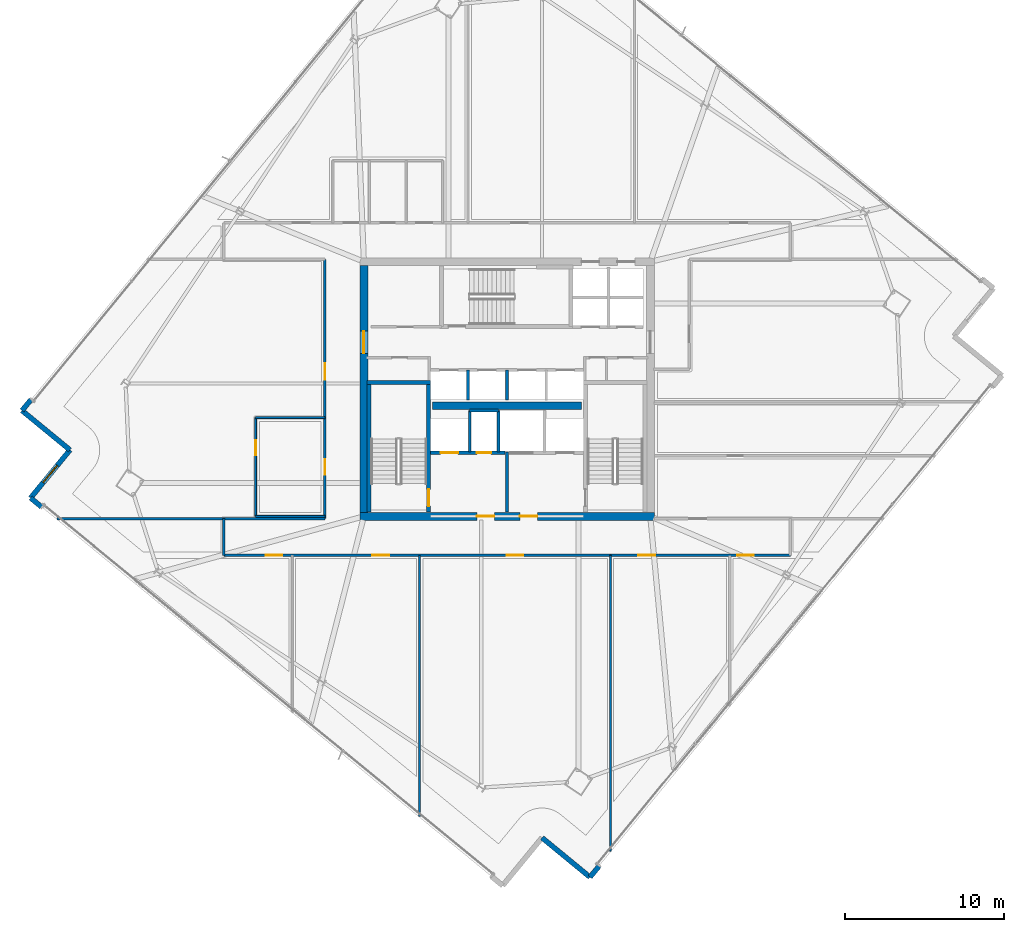
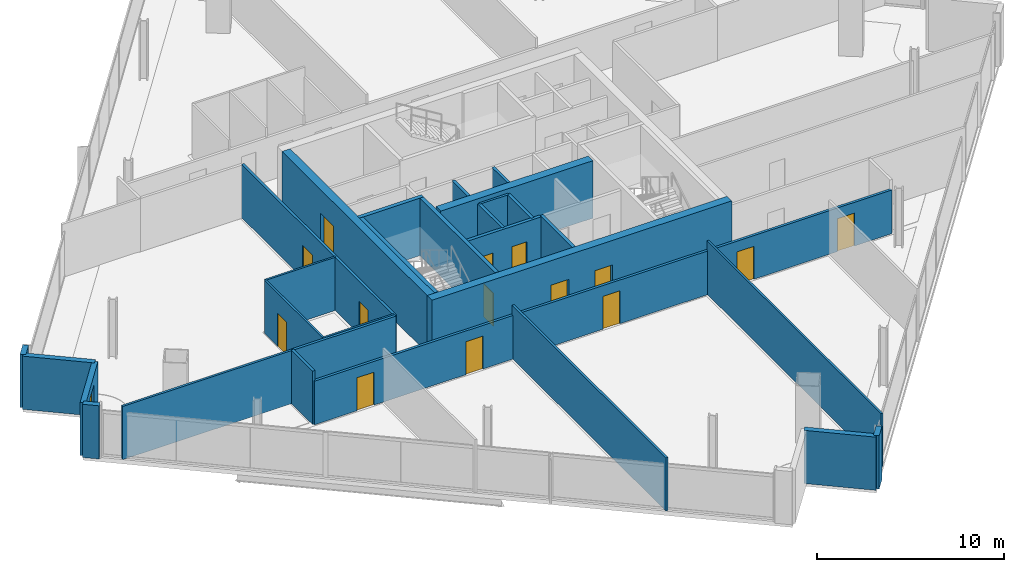
# One storey, part 20 of 28: 29 walls, 14 doors, 1 window, 15 openings.
"""IFC4 building model written with IfcOpenShell, lengths in metres."""

from ifc_helpers import new_model, si_unit, direction, frame, frame_2d, origin, place, context, subcontext, project, spatial, rectangle, extrude, material, layer, layer_set, type_object, element, fill, save


model = new_model("IFC4")

# Units and contexts
model_context = context("Model", 3, precision=1e-05, world=origin(), true_north=direction((0.0, 1.0)))
body_context = subcontext(model_context, "Body", "Model", "MODEL_VIEW")
ifc_project = project(units=[si_unit("LENGTHUNIT", "METRE"), si_unit("AREAUNIT", "SQUARE_METRE"), si_unit("VOLUMEUNIT", "CUBIC_METRE"), si_unit("PLANEANGLEUNIT", "RADIAN"), si_unit("MASSUNIT", "GRAM", prefix="KILO")], contexts=[model_context])

# Site, building, storey
site_placement = place(None, origin())
site = spatial("IfcSite", under=ifc_project, at=site_placement, CompositionType="ELEMENT")
building_placement = place(site_placement, origin())
building = spatial("IfcBuilding", under=site, at=building_placement, Name="Haldenkirk Collegiate Tower", CompositionType="ELEMENT")
storey_placement = place(building_placement, frame((0.0, 0.0, 198.449951171875)))
storey = spatial("IfcBuildingStorey", under=building, at=storey_placement, Name="L49", CompositionType="ELEMENT", Elevation=198.449951171875)

# Wall, openings, doors
ifc_material_1 = material(Name="Concrete f'c 55 MPa", Category="concrete")
ifc_layer_1 = layer(ifc_material_1, 0.5)
ifc_layer_set_1 = layer_set([ifc_layer_1], Name="Concrete f'c 55 MPa")
wall_type_1 = type_object("IfcWallType", Name="WL-CORE-500", PredefinedType="SHEAR", material=ifc_layer_set_1)
wall_1_placement = place(storey_placement, frame((26.75, 18.0, 0.0), z_axis=(0.0, 0.0, 1.0), x_axis=(1.0, 0.0, 0.0)))
wall_1 = element("IfcWall", 1, at=wall_1_placement, inside=storey, type_object=wall_type_1, Name="L49 central core shear wall S", PredefinedType="SHEAR", context=body_context, shape_type="SweptSolid", body=[
    extrude(rectangle(XDim=18.5, YDim=0.5, at=frame_2d((9.25, 0.0))), origin(), (0.0, 0.0, 1.0), 3.75),
])
opening_1_placement = place(wall_1_placement, frame((7.35009765625, 0.0, 0.0)))
opening_1 = element("IfcOpeningElement", 2, at=opening_1_placement, cuts=wall_1, Name="Opening D-02", PredefinedType="OPENING", context=body_context, shape_type="SweptSolid", body=[
    extrude(rectangle(XDim=1.10009765625, YDim=2.14990234375, at=frame_2d((0.550048828125, 1.074951171875))), frame((0.0, 0.260009765625, 0.0), z_axis=(0.0, -1.0, 0.0), x_axis=(1.0, 0.0, 0.0)), (0.0, 0.0, 1.0), 0.52001953125),
])
opening_2_placement = place(wall_1_placement, frame((10.050048828125, 0.0, 0.0)))
opening_2 = element("IfcOpeningElement", 3, at=opening_2_placement, cuts=wall_1, Name="Opening D-02", PredefinedType="OPENING", context=body_context, shape_type="SweptSolid", body=[
    extrude(rectangle(XDim=1.10009765625, YDim=2.14990234375, at=frame_2d((0.550048828125, 1.074951171875))), frame((0.0, 0.260009765625, 0.0), z_axis=(0.0, -1.0, 0.0), x_axis=(1.0, 0.0, 0.0)), (0.0, 0.0, 1.0), 0.52001953125),
])
ifc_material_2 = material(Name="Galvanized fire-rated hollow steel door", Category="steel")
ifc_layer_2 = layer(ifc_material_2, 0.06005859375)
ifc_layer_set_2 = layer_set([ifc_layer_2], Name="Galvanized fire-rated hollow steel door")
door_type_1 = type_object("IfcDoorType", Name="DR-STAIR-FD90-1100", OperationType="NOTDEFINED", PredefinedType="DOOR", material=ifc_layer_set_2)
door_1_placement = place(opening_1_placement, origin())
door_1 = element("IfcDoor", 4, at=door_1_placement, inside=storey, type_object=door_type_1, Name="L49 Firefighting Lobby 1 door", OperationType="SINGLE_SWING_LEFT", OverallHeight=2.14990234375, OverallWidth=1.10009765625, PredefinedType="DOOR", context=body_context, shape_type="SweptSolid", body=[
    extrude(rectangle(XDim=1.10009765625, YDim=2.14990234375, at=frame_2d((0.550048828125, 1.074951171875))), frame((0.0, 0.02490234375, 0.0), z_axis=(0.0, -1.0, 0.0), x_axis=(1.0, 0.0, 0.0)), (0.0, 0.0, 1.0), 0.050048828125),
])
fill(opening_1, door_1)
door_2_placement = place(opening_2_placement, origin())
door_2 = element("IfcDoor", 5, at=door_2_placement, inside=storey, type_object=door_type_1, Name="L49 Firefighting Lobby 2 door", OperationType="SINGLE_SWING_RIGHT", OverallHeight=2.14990234375, OverallWidth=1.10009765625, PredefinedType="DOOR", context=body_context, shape_type="SweptSolid", body=[
    extrude(rectangle(XDim=1.10009765625, YDim=2.14990234375, at=frame_2d((0.550048828125, 1.074951171875))), frame((0.0, 0.02490234375, 0.0), z_axis=(0.0, -1.0, 0.0), x_axis=(1.0, 0.0, 0.0)), (0.0, 0.0, 1.0), 0.050048828125),
])
fill(opening_2, door_2)

# Wall, opening, door
wall_2_placement = place(storey_placement, frame((27.0, 18.25, 0.0), z_axis=(0.0, 0.0, 1.0), x_axis=(0.0, 1.0, 0.0)))
wall_2 = element("IfcWall", 6, at=wall_2_placement, inside=storey, type_object=wall_type_1, Name="L49 central core shear wall W", PredefinedType="SHEAR", context=body_context, shape_type="SweptSolid", body=[
    extrude(rectangle(XDim=15.5, YDim=0.5, at=frame_2d((7.75, 0.0))), origin(), (0.0, 0.0, 1.0), 3.75),
])
opening_3_placement = place(wall_2_placement, frame((9.989990234375, 0.0, 0.0)))
opening_3 = element("IfcOpeningElement", 7, at=opening_3_placement, cuts=wall_2, Name="Opening D-03", PredefinedType="OPENING", context=body_context, shape_type="SweptSolid", body=[
    extrude(rectangle(XDim=1.39990234375, YDim=2.199951171875, at=frame_2d((0.699951171875, 1.10009765625))), frame((0.0, 0.260009765625, 0.0), z_axis=(0.0, -1.0, 0.0), x_axis=(1.0, 0.0, 0.0)), (0.0, 0.0, 1.0), 0.52001953125),
])
ifc_layer_3 = layer(ifc_material_2, 0.06005859375)
ifc_layer_set_3 = layer_set([ifc_layer_3], Name="Galvanized fire-rated hollow steel door")
door_type_2 = type_object("IfcDoorType", Name="DR-LOBBY-FD90-1400", OperationType="NOTDEFINED", PredefinedType="DOOR", material=ifc_layer_set_3)
door_3_placement = place(opening_3_placement, origin())
door_3 = element("IfcDoor", 8, at=door_3_placement, inside=storey, type_object=door_type_2, Name="L49 west lift lobby portal", OperationType="DOUBLE_DOOR_SINGLE_SWING", OverallHeight=2.199951171875, OverallWidth=1.39990234375, PredefinedType="DOOR", context=body_context, shape_type="SweptSolid", body=[
    extrude(rectangle(XDim=1.39990234375, YDim=2.199951171875, at=frame_2d((0.699951171875, 1.10009765625))), frame((0.0, 0.02490234375, 0.0), z_axis=(0.0, -1.0, 0.0), x_axis=(1.0, 0.0, 0.0)), (0.0, 0.0, 1.0), 0.050048828125),
])
fill(opening_3, door_3)

# Walls
wall_3_placement = place(storey_placement, frame((31.31005859375, 24.949951171875, 0.0), z_axis=(0.0, 0.0, 1.0), x_axis=(1.0, 0.0, 0.0)))
element("IfcWall", 9, at=wall_3_placement, inside=storey, type_object=wall_type_1, Name="L49 central core spine shear wall", PredefinedType="SHEAR", context=body_context, shape_type="SweptSolid", body=[
    extrude(rectangle(XDim=9.3798828125, YDim=0.5, at=frame_2d((4.68994140625, 0.0))), origin(), (0.0, 0.0, 1.0), 3.75),
])
ifc_material_3 = material(Name="Precast concrete f'c 40 MPa", Category="concrete")
ifc_layer_4 = layer(ifc_material_3, 0.320068359375)
ifc_layer_set_4 = layer_set([ifc_layer_4], Name="Precast concrete f'c 40 MPa")
wall_type_2 = type_object("IfcWallType", Name="WL-EXT-TWR-320", PredefinedType="STANDARD", material=ifc_layer_set_4)
for number, where, z_axis, x_axis, name in (
    (10, (41.781982421875, -3.984375, 0.0), (0.0, 0.0, 1.0), (-0.63469893291, -0.772759512761, 0.0), "L49 precast corner pier SR"),
    (11, (5.510498046875, 24.64453125, 0.0), (0.0, 0.0, 1.0), (0.63469893291, 0.772759512761, 0.0), "L49 precast corner pier NL"),
):
    element("IfcWall", number, at=place(storey_placement, frame(where, z_axis=z_axis, x_axis=x_axis)), inside=storey, type_object=wall_type_2, Name=name, PredefinedType="STANDARD", context=body_context, shape_type="SweptSolid", body=[
        extrude(rectangle(XDim=0.900146484375, YDim=0.320068359375, at=frame_2d((0.4501953125, 0.0))), origin(), (0.0, 0.0, 1.0), 3.469970703125),
    ])
wall_4_placement = place(storey_placement, frame((8.524169921875, 22.169189453125, 0.0), z_axis=(0.0, 0.0, 1.0), x_axis=(-0.77274818591, 0.634712723343, 0.0)))
element("IfcWall", 12, at=wall_4_placement, inside=storey, type_object=wall_type_2, Name="L49 bronze precast notch wall 08", PredefinedType="STANDARD", context=body_context, shape_type="SweptSolid", body=[
    extrude(rectangle(XDim=3.89990234375, YDim=0.320068359375, at=frame_2d((1.949951171875, 0.0))), origin(), (0.0, 0.0, 1.0), 3.469970703125),
])

# Wall, opening, window
wall_5_placement = place(storey_placement, frame((6.048583984375, 19.155517578125, 0.0), z_axis=(0.0, 0.0, 1.0), x_axis=(0.63475010273, 0.772717482062, 0.0)))
wall_5 = element("IfcWall", 13, at=wall_5_placement, inside=storey, type_object=wall_type_2, Name="L49 bronze precast notch wall 09", PredefinedType="STANDARD", context=body_context, shape_type="SweptSolid", body=[
    extrude(rectangle(XDim=3.900146484375, YDim=0.320068359375, at=frame_2d((1.9501953125, 0.0))), origin(), (0.0, 0.0, 1.0), 3.469970703125),
])
opening_4_placement = place(wall_5_placement, frame((1.25, 0.0, 0.85009765625)))
opening_4 = element("IfcOpeningElement", 14, at=opening_4_placement, cuts=wall_5, Name="Opening W-06", PredefinedType="OPENING", context=body_context, shape_type="SweptSolid", body=[
    extrude(rectangle(XDim=1.39990234375, YDim=2.0, at=frame_2d((0.699951171875, 1.0))), frame((0.0, 0.169921875, 0.0), z_axis=(0.0, -1.0, 0.0), x_axis=(1.0, 0.0, 0.0)), (0.0, 0.0, 1.0), 0.340087890625),
])
ifc_material_4 = material(Name="Low-E argon triple insulating glass", Category="glass")
ifc_layer_5 = layer(ifc_material_4, 0.090087890625)
ifc_layer_set_5 = layer_set([ifc_layer_5], Name="Low-E argon triple insulating glass")
window_type = type_object("IfcWindowType", Name="WN-Z4-1400X2000", PartitioningType="SINGLE_PANEL", PredefinedType="WINDOW", material=ifc_layer_set_5)
window_placement = place(opening_4_placement, origin())
window = element("IfcWindow", 15, at=window_placement, inside=storey, type_object=window_type, Name="L49 precast-frame academic window 8", OverallHeight=2.0, OverallWidth=1.39990234375, PartitioningType="SINGLE_PANEL", PredefinedType="WINDOW", context=body_context, shape_type="SweptSolid", body=[
    extrude(rectangle(XDim=1.39990234375, YDim=2.0, at=frame_2d((0.699951171875, 1.0))), frame((0.0, 0.030029296875, 0.0), z_axis=(0.0, -1.0, 0.0), x_axis=(1.0, 0.0, 0.0)), (0.0, 0.0, 1.0), 0.06005859375),
])
fill(opening_4, window)

# Walls
wall_6_placement = place(storey_placement, frame((6.744140625, 18.584228515625, 0.0), z_axis=(0.0, 0.0, 1.0), x_axis=(-0.772759512761, 0.63469893291, 0.0)))
element("IfcWall", 16, at=wall_6_placement, inside=storey, type_object=wall_type_2, Name="L49 precast corner pier WR", PredefinedType="STANDARD", context=body_context, shape_type="SweptSolid", body=[
    extrude(rectangle(XDim=0.900146484375, YDim=0.320068359375, at=frame_2d((0.4501953125, 0.0))), origin(), (0.0, 0.0, 1.0), 3.469970703125),
])
wall_7_placement = place(storey_placement, frame((41.210693359375, -4.679931640625, 0.0), z_axis=(0.0, 0.0, 1.0), x_axis=(-0.77274818591, 0.634712723343, 0.0)))
element("IfcWall", 17, at=wall_7_placement, inside=storey, type_object=wall_type_2, Name="L49 bronze precast notch wall 12", PredefinedType="STANDARD", context=body_context, shape_type="SweptSolid", body=[
    extrude(rectangle(XDim=3.89990234375, YDim=0.320068359375, at=frame_2d((1.949951171875, 0.0))), origin(), (0.0, 0.0, 1.0), 3.469970703125),
])

# Wall, openings, doors
ifc_material_5 = material(Name="Acoustic fire-rated gypsum partition", Category="concrete")
ifc_layer_6 = layer(ifc_material_5, 0.159912109375)
ifc_layer_set_6 = layer_set([ifc_layer_6], Name="Acoustic fire-rated gypsum partition")
wall_type_3 = type_object("IfcWallType", Name="WL-INT-CORR-160", PredefinedType="PARTITIONING", material=ifc_layer_set_6)
wall_8_placement = place(storey_placement, frame((18.199951171875, 15.550048828125, 0.0), z_axis=(0.0, 0.0, 1.0), x_axis=(1.0, 0.0, 0.0)))
wall_8 = element("IfcWall", 18, at=wall_8_placement, inside=storey, type_object=wall_type_3, Name="L49 interior partition IW-L49-CS", PredefinedType="PARTITIONING", context=body_context, shape_type="SweptSolid", body=[
    extrude(rectangle(XDim=35.60009765625, YDim=0.159912109375, at=frame_2d((17.800048828125, 0.0))), origin(), (0.0, 0.0, 1.0), 2.84912109375),
])
opening_5_placement = place(wall_8_placement, frame((2.625, 0.0, 0.0)))
opening_5 = element("IfcOpeningElement", 19, at=opening_5_placement, cuts=wall_8, Name="Opening D-09", PredefinedType="OPENING", context=body_context, shape_type="SweptSolid", body=[
    extrude(rectangle(XDim=1.050048828125, YDim=2.14990234375, at=frame_2d((0.52490234375, 1.074951171875))), frame((0.0, 0.08984375, 0.0), z_axis=(0.0, -1.0, 0.0), x_axis=(1.0, 0.0, 0.0)), (0.0, 0.0, 1.0), 0.179931640625),
])
opening_6_placement = place(wall_8_placement, frame((9.3349609375, 0.0, 0.0)))
opening_6 = element("IfcOpeningElement", 20, at=opening_6_placement, cuts=wall_8, Name="Opening D-09", PredefinedType="OPENING", context=body_context, shape_type="SweptSolid", body=[
    extrude(rectangle(XDim=1.050048828125, YDim=2.14990234375, at=frame_2d((0.52490234375, 1.074951171875))), frame((0.0, 0.08984375, 0.0), z_axis=(0.0, -1.0, 0.0), x_axis=(1.0, 0.0, 0.0)), (0.0, 0.0, 1.0), 0.179931640625),
])
opening_7_placement = place(wall_8_placement, frame((17.77490234375, 0.0, 0.0)))
opening_7 = element("IfcOpeningElement", 21, at=opening_7_placement, cuts=wall_8, Name="Opening D-09", PredefinedType="OPENING", context=body_context, shape_type="SweptSolid", body=[
    extrude(rectangle(XDim=1.050048828125, YDim=2.14990234375, at=frame_2d((0.52490234375, 1.074951171875))), frame((0.0, 0.08984375, 0.0), z_axis=(0.0, -1.0, 0.0), x_axis=(1.0, 0.0, 0.0)), (0.0, 0.0, 1.0), 0.179931640625),
])
opening_8_placement = place(wall_8_placement, frame((26.054931640625, 0.0, 0.0)))
opening_8 = element("IfcOpeningElement", 22, at=opening_8_placement, cuts=wall_8, Name="Opening D-09", PredefinedType="OPENING", context=body_context, shape_type="SweptSolid", body=[
    extrude(rectangle(XDim=1.050048828125, YDim=2.14990234375, at=frame_2d((0.52490234375, 1.074951171875))), frame((0.0, 0.08984375, 0.0), z_axis=(0.0, -1.0, 0.0), x_axis=(1.0, 0.0, 0.0)), (0.0, 0.0, 1.0), 0.179931640625),
])
opening_9_placement = place(wall_8_placement, frame((32.264892578125, 0.0, 0.0)))
opening_9 = element("IfcOpeningElement", 23, at=opening_9_placement, cuts=wall_8, Name="Opening D-09", PredefinedType="OPENING", context=body_context, shape_type="SweptSolid", body=[
    extrude(rectangle(XDim=1.050048828125, YDim=2.14990234375, at=frame_2d((0.52490234375, 1.074951171875))), frame((0.0, 0.08984375, 0.0), z_axis=(0.0, -1.0, 0.0), x_axis=(1.0, 0.0, 0.0)), (0.0, 0.0, 1.0), 0.179931640625),
])
ifc_material_6 = material(Name="Solid-core architectural oak fire door", Category="wood")
ifc_layer_7 = layer(ifc_material_6, 0.06005859375)
ifc_layer_set_7 = layer_set([ifc_layer_7], Name="Solid-core architectural oak fire door")
door_type_3 = type_object("IfcDoorType", Name="DR-INT-FD60-1050", OperationType="NOTDEFINED", PredefinedType="DOOR", material=ifc_layer_set_7)
door_4_placement = place(opening_5_placement, origin())
door_4 = element("IfcDoor", 24, at=door_4_placement, inside=storey, type_object=door_type_3, Name="L49 Student Wellness Clinic 1 door", OperationType="SINGLE_SWING_LEFT", OverallHeight=2.14990234375, OverallWidth=1.050048828125, PredefinedType="DOOR", context=body_context, shape_type="SweptSolid", body=[
    extrude(rectangle(XDim=1.050048828125, YDim=2.14990234375, at=frame_2d((0.52490234375, 1.074951171875))), frame((0.0, 0.02490234375, 0.0), z_axis=(0.0, -1.0, 0.0), x_axis=(1.0, 0.0, 0.0)), (0.0, 0.0, 1.0), 0.050048828125),
])
fill(opening_5, door_4)
door_5_placement = place(opening_6_placement, origin())
door_5 = element("IfcDoor", 25, at=door_5_placement, inside=storey, type_object=door_type_3, Name="L49 Ergonomics Clinic 2 door", OperationType="SINGLE_SWING_RIGHT", OverallHeight=2.14990234375, OverallWidth=1.050048828125, PredefinedType="DOOR", context=body_context, shape_type="SweptSolid", body=[
    extrude(rectangle(XDim=1.050048828125, YDim=2.14990234375, at=frame_2d((0.52490234375, 1.074951171875))), frame((0.0, 0.02490234375, 0.0), z_axis=(0.0, -1.0, 0.0), x_axis=(1.0, 0.0, 0.0)), (0.0, 0.0, 1.0), 0.050048828125),
])
fill(opening_6, door_5)
door_6_placement = place(opening_7_placement, origin())
door_6 = element("IfcDoor", 26, at=door_6_placement, inside=storey, type_object=door_type_3, Name="L49 Collegiate Commons Lounge 3 door", OperationType="SINGLE_SWING_LEFT", OverallHeight=2.14990234375, OverallWidth=1.050048828125, PredefinedType="DOOR", context=body_context, shape_type="SweptSolid", body=[
    extrude(rectangle(XDim=1.050048828125, YDim=2.14990234375, at=frame_2d((0.52490234375, 1.074951171875))), frame((0.0, 0.02490234375, 0.0), z_axis=(0.0, -1.0, 0.0), x_axis=(1.0, 0.0, 0.0)), (0.0, 0.0, 1.0), 0.050048828125),
])
fill(opening_7, door_6)
door_7_placement = place(opening_8_placement, origin())
door_7 = element("IfcDoor", 27, at=door_7_placement, inside=storey, type_object=door_type_3, Name="L49 Graduate Study Lounge 4 door", OperationType="SINGLE_SWING_RIGHT", OverallHeight=2.14990234375, OverallWidth=1.050048828125, PredefinedType="DOOR", context=body_context, shape_type="SweptSolid", body=[
    extrude(rectangle(XDim=1.050048828125, YDim=2.14990234375, at=frame_2d((0.52490234375, 1.074951171875))), frame((0.0, 0.02490234375, 0.0), z_axis=(0.0, -1.0, 0.0), x_axis=(1.0, 0.0, 0.0)), (0.0, 0.0, 1.0), 0.050048828125),
])
fill(opening_8, door_7)
door_8_placement = place(opening_9_placement, origin())
door_8 = element("IfcDoor", 28, at=door_8_placement, inside=storey, type_object=door_type_3, Name="L49 Special Collections Archive 5 door", OperationType="SINGLE_SWING_LEFT", OverallHeight=2.14990234375, OverallWidth=1.050048828125, PredefinedType="DOOR", context=body_context, shape_type="SweptSolid", body=[
    extrude(rectangle(XDim=1.050048828125, YDim=2.14990234375, at=frame_2d((0.52490234375, 1.074951171875))), frame((0.0, 0.02490234375, 0.0), z_axis=(0.0, -1.0, 0.0), x_axis=(1.0, 0.0, 0.0)), (0.0, 0.0, 1.0), 0.050048828125),
])
fill(opening_9, door_8)

# Wall
wall_9_placement = place(storey_placement, frame((18.199951171875, 17.85009765625, 0.0), z_axis=(0.0, 0.0, 1.0), x_axis=(1.0, 0.0, 0.0)))
element("IfcWall", 29, at=wall_9_placement, inside=storey, type_object=wall_type_3, Name="L49 interior partition IW-L49-CSW", PredefinedType="PARTITIONING", context=body_context, shape_type="SweptSolid", body=[
    extrude(rectangle(XDim=6.35009765625, YDim=0.159912109375, at=frame_2d((3.175048828125, 0.0))), origin(), (0.0, 0.0, 1.0), 3.469970703125),
])

# Wall, openings, doors
wall_10_placement = place(storey_placement, frame((24.550048828125, 17.85009765625, 0.0), z_axis=(0.0, 0.0, 1.0), x_axis=(0.0, 1.0, 0.0)))
wall_10 = element("IfcWall", 30, at=wall_10_placement, inside=storey, type_object=wall_type_3, Name="L49 interior partition IW-L49-CW", PredefinedType="PARTITIONING", context=body_context, shape_type="SweptSolid", body=[
    extrude(rectangle(XDim=16.2998046875, YDim=0.159912109375, at=frame_2d((8.14990234375, 0.0))), origin(), (0.0, 0.0, 1.0), 3.469970703125),
])
opening_10_placement = place(wall_10_placement, frame((2.77490234375, 0.0, 0.0)))
opening_10 = element("IfcOpeningElement", 31, at=opening_10_placement, cuts=wall_10, Name="Opening D-10", PredefinedType="OPENING", context=body_context, shape_type="SweptSolid", body=[
    extrude(rectangle(XDim=0.949951171875, YDim=2.14990234375, at=frame_2d((0.47509765625, 1.074951171875))), frame((0.0, 0.08984375, 0.0), z_axis=(0.0, -1.0, 0.0), x_axis=(1.0, 0.0, 0.0)), (0.0, 0.0, 1.0), 0.179931640625),
])
opening_11_placement = place(wall_10_placement, frame((8.72900390625, 0.0, 0.0)))
opening_11 = element("IfcOpeningElement", 32, at=opening_11_placement, cuts=wall_10, Name="Opening D-09", PredefinedType="OPENING", context=body_context, shape_type="SweptSolid", body=[
    extrude(rectangle(XDim=1.050048828125, YDim=2.14990234375, at=frame_2d((0.52490234375, 1.074951171875))), frame((0.0, 0.08984375, 0.0), z_axis=(0.0, -1.0, 0.0), x_axis=(1.0, 0.0, 0.0)), (0.0, 0.0, 1.0), 0.179931640625),
])
door_9_placement = place(opening_11_placement, origin())
door_9 = element("IfcDoor", 33, at=door_9_placement, inside=storey, type_object=door_type_3, Name="L49 Collegiate Commons Lounge 9 door", OperationType="SINGLE_SWING_LEFT", OverallHeight=2.14990234375, OverallWidth=1.050048828125, PredefinedType="DOOR", context=body_context, shape_type="SweptSolid", body=[
    extrude(rectangle(XDim=1.050048828125, YDim=2.14990234375, at=frame_2d((0.52490234375, 1.074951171875))), frame((0.0, 0.02490234375, 0.0), z_axis=(0.0, -1.0, 0.0), x_axis=(1.0, 0.0, 0.0)), (0.0, 0.0, 1.0), 0.050048828125),
])
fill(opening_11, door_9)
ifc_layer_8 = layer(ifc_material_6, 0.06005859375)
ifc_layer_set_8 = layer_set([ifc_layer_8], Name="Solid-core architectural oak fire door")
door_type_4 = type_object("IfcDoorType", Name="DR-INT-FD60-950", OperationType="NOTDEFINED", PredefinedType="DOOR", material=ifc_layer_set_8)
door_10_placement = place(opening_10_placement, origin())
door_10 = element("IfcDoor", 34, at=door_10_placement, inside=storey, type_object=door_type_4, Name="L49 West Faculty Tutorial Pod corridor door", OperationType="SINGLE_SWING_LEFT", OverallHeight=2.14990234375, OverallWidth=0.949951171875, PredefinedType="DOOR", context=body_context, shape_type="SweptSolid", body=[
    extrude(rectangle(XDim=0.949951171875, YDim=2.14990234375, at=frame_2d((0.47509765625, 1.074951171875))), frame((0.0, 0.02490234375, 0.0), z_axis=(0.0, -1.0, 0.0), x_axis=(1.0, 0.0, 0.0)), (0.0, 0.0, 1.0), 0.050048828125),
])
fill(opening_10, door_10)

# Walls
wall_11_placement = place(storey_placement, frame((18.199951171875, 15.550048828125, 0.0), z_axis=(0.0, 0.0, 1.0), x_axis=(0.0, 1.0, 0.0)))
element("IfcWall", 35, at=wall_11_placement, inside=storey, type_object=wall_type_3, Name="L49 interior partition IW-L49-CSL", PredefinedType="PARTITIONING", context=body_context, shape_type="SweptSolid", body=[
    extrude(rectangle(XDim=2.300048828125, YDim=0.159912109375, at=frame_2d((1.14990234375, 0.0))), origin(), (0.0, 0.0, 1.0), 3.469970703125),
])
ifc_layer_9 = layer(ifc_material_5, 0.139892578125)
ifc_layer_set_9 = layer_set([ifc_layer_9], Name="Acoustic fire-rated gypsum partition")
wall_type_4 = type_object("IfcWallType", Name="WL-INT-DIV-140", PredefinedType="PARTITIONING", material=ifc_layer_set_9)
wall_12_placement = place(storey_placement, frame((7.701171875, 17.85009765625, 0.0), z_axis=(0.0, 0.0, 1.0), x_axis=(1.0, 0.0, 0.0)))
element("IfcWall", 36, at=wall_12_placement, inside=storey, type_object=wall_type_4, Name="L49 interior partition IW-L49-BWS", PredefinedType="PARTITIONING", context=body_context, shape_type="SweptSolid", body=[
    extrude(rectangle(XDim=10.498779296875, YDim=0.139892578125, at=frame_2d((5.24951171875, 0.0))), origin(), (0.0, 0.0, 1.0), 3.469970703125),
])
wall_13_placement = place(storey_placement, frame((30.5, -0.877197265625, 0.0), z_axis=(0.0, 0.0, 1.0), x_axis=(0.0, 1.0, 0.0)))
element("IfcWall", 37, at=wall_13_placement, inside=storey, type_object=wall_type_4, Name="L49 interior partition IW-L49-RS2", PredefinedType="PARTITIONING", context=body_context, shape_type="SweptSolid", body=[
    extrude(rectangle(XDim=16.42724609375, YDim=0.139892578125, at=frame_2d((8.213623046875, 0.0))), origin(), (0.0, 0.0, 1.0), 3.469970703125),
])
ifc_material_7 = material(Name="Fire-rated gypsum shaftboard assembly", Category="concrete")
ifc_layer_10 = layer(ifc_material_7, 0.179931640625)
ifc_layer_set_10 = layer_set([ifc_layer_10], Name="Fire-rated gypsum shaftboard assembly")
wall_type_5 = type_object("IfcWallType", Name="WL-INT-SHAFT-180", PredefinedType="PARTITIONING", material=ifc_layer_set_10)
for number, where, z_axis, x_axis, name in (
    (38, (33.64990234375, 22.050048828125, 0.0), (0.0, 0.0, 1.0), (0.0, 1.0, 0.0), "L49 interior partition IW-L49-FL1E"),
    (39, (35.449951171875, 22.050048828125, 0.0), (0.0, 0.0, 1.0), (0.0, 1.0, 0.0), "L49 interior partition IW-L49-GL1W"),
):
    element("IfcWall", number, at=place(storey_placement, frame(where, z_axis=z_axis, x_axis=x_axis)), inside=storey, type_object=wall_type_5, Name=name, PredefinedType="PARTITIONING", context=body_context, shape_type="SweptSolid", body=[
        extrude(rectangle(XDim=2.599853515625, YDim=0.179931640625, at=frame_2d((1.2998046875, 0.0))), origin(), (0.0, 0.0, 1.0), 3.469970703125),
    ])
wall_14_placement = place(storey_placement, frame((33.64990234375, 24.64990234375, 0.0), z_axis=(0.0, 0.0, 1.0), x_axis=(1.0, 0.0, 0.0)))
element("IfcWall", 40, at=wall_14_placement, inside=storey, type_object=wall_type_5, Name="L49 interior partition IW-L49-RSRN", PredefinedType="PARTITIONING", context=body_context, shape_type="SweptSolid", body=[
    extrude(rectangle(XDim=1.800048828125, YDim=0.179931640625, at=frame_2d((0.89990234375, 0.0))), origin(), (0.0, 0.0, 1.0), 3.469970703125),
])
for number, where, z_axis, x_axis, name in (
    (41, (33.5400390625, 25.300048828125, 0.0), (0.0, 0.0, 1.0), (0.0, 1.0, 0.0), "L49 interior partition IW-L49-PHV1"),
    (42, (36.0, 25.300048828125, 0.0), (0.0, 0.0, 1.0), (0.0, 1.0, 0.0), "L49 interior partition IW-L49-PHV2"),
):
    element("IfcWall", number, at=place(storey_placement, frame(where, z_axis=z_axis, x_axis=x_axis)), inside=storey, type_object=wall_type_5, Name=name, PredefinedType="PARTITIONING", context=body_context, shape_type="SweptSolid", body=[
        extrude(rectangle(XDim=1.89990234375, YDim=0.179931640625, at=frame_2d((0.949951171875, 0.0))), origin(), (0.0, 0.0, 1.0), 3.469970703125),
    ])
ifc_layer_11 = layer(ifc_material_7, 0.199951171875)
ifc_layer_set_11 = layer_set([ifc_layer_11], Name="Fire-rated gypsum shaftboard assembly")
wall_type_6 = type_object("IfcWallType", Name="WL-INT-SHAFT-200", PredefinedType="PARTITIONING", material=ifc_layer_set_11)
wall_15_placement = place(storey_placement, frame((36.0, 18.280029296875, 0.0), z_axis=(0.0, 0.0, 1.0), x_axis=(0.0, 1.0, 0.0)))
element("IfcWall", 43, at=wall_15_placement, inside=storey, type_object=wall_type_6, Name="L49 interior partition IW-L49-FFLM", PredefinedType="PARTITIONING", context=body_context, shape_type="SweptSolid", body=[
    extrude(rectangle(XDim=3.77001953125, YDim=0.199951171875, at=frame_2d((1.885009765625, 0.0))), origin(), (0.0, 0.0, 1.0), 3.469970703125),
])

# Wall, openings, doors
wall_16_placement = place(storey_placement, frame((31.18994140625, 22.0, 0.0), z_axis=(0.0, 0.0, 1.0), x_axis=(1.0, 0.0, 0.0)))
wall_16 = element("IfcWall", 44, at=wall_16_placement, inside=storey, type_object=wall_type_6, Name="L49 interior partition IW-L49-FFL1N", PredefinedType="PARTITIONING", context=body_context, shape_type="SweptSolid", body=[
    extrude(rectangle(XDim=4.68994140625, YDim=0.199951171875, at=frame_2d((2.344970703125, 0.0))), origin(), (0.0, 0.0, 1.0), 3.469970703125),
])
opening_12_placement = place(wall_16_placement, frame((2.909912109375, 0.0, 0.0)))
opening_12 = element("IfcOpeningElement", 45, at=opening_12_placement, cuts=wall_16, Name="Opening D-06", PredefinedType="OPENING", context=body_context, shape_type="SweptSolid", body=[
    extrude(rectangle(XDim=0.89990234375, YDim=2.14990234375, at=frame_2d((0.449951171875, 1.074951171875))), frame((0.0, 0.10986328125, 0.0), z_axis=(0.0, -1.0, 0.0), x_axis=(1.0, 0.0, 0.0)), (0.0, 0.0, 1.0), 0.219970703125),
])
opening_13_placement = place(wall_16_placement, frame((0.635009765625, 0.0, 0.0)))
opening_13 = element("IfcOpeningElement", 46, at=opening_13_placement, cuts=wall_16, Name="Opening LD-12", PredefinedType="OPENING", context=body_context, shape_type="SweptSolid", body=[
    extrude(rectangle(XDim=1.10009765625, YDim=2.14990234375, at=frame_2d((0.550048828125, 1.074951171875))), frame((0.0, 0.10986328125, 0.0), z_axis=(0.0, -1.0, 0.0), x_axis=(1.0, 0.0, 0.0)), (0.0, 0.0, 1.0), 0.219970703125),
])
ifc_layer_12 = layer(ifc_material_2, 0.06005859375)
ifc_layer_set_12 = layer_set([ifc_layer_12], Name="Galvanized fire-rated hollow steel door")
door_type_5 = type_object("IfcDoorType", Name="DR-INT-FD90-900", OperationType="NOTDEFINED", PredefinedType="DOOR", material=ifc_layer_set_12)
door_11_placement = place(opening_12_placement, origin())
door_11 = element("IfcDoor", 47, at=door_11_placement, inside=storey, type_object=door_type_5, Name="L49 electrical riser door", OperationType="SINGLE_SWING_LEFT", OverallHeight=2.14990234375, OverallWidth=0.89990234375, PredefinedType="DOOR", context=body_context, shape_type="SweptSolid", body=[
    extrude(rectangle(XDim=0.89990234375, YDim=2.14990234375, at=frame_2d((0.449951171875, 1.074951171875))), frame((0.0, 0.02490234375, 0.0), z_axis=(0.0, -1.0, 0.0), x_axis=(1.0, 0.0, 0.0)), (0.0, 0.0, 1.0), 0.050048828125),
])
fill(opening_12, door_11)
ifc_material_8 = material(Name="Brushed architectural stainless steel", Category="steel")
ifc_layer_13 = layer(ifc_material_8, 0.06005859375)
ifc_layer_set_13 = layer_set([ifc_layer_13], Name="Brushed architectural stainless steel")
door_type_6 = type_object("IfcDoorType", Name="LD-FIRE-1100", OperationType="NOTDEFINED", PredefinedType="DOOR", material=ifc_layer_set_13)
door_12_placement = place(opening_13_placement, origin())
door_12 = element("IfcDoor", 48, at=door_12_placement, inside=storey, type_object=door_type_6, Name="L49 Elevator FL1 sliding landing door", OperationType="SLIDING_TO_LEFT", OverallHeight=2.14990234375, OverallWidth=1.10009765625, PredefinedType="DOOR", context=body_context, shape_type="SweptSolid", body=[
    extrude(rectangle(XDim=1.10009765625, YDim=2.14990234375, at=frame_2d((0.550048828125, 1.074951171875))), frame((0.0, 0.02490234375, 0.0), z_axis=(0.0, -1.0, 0.0), x_axis=(1.0, 0.0, 0.0)), (0.0, 0.0, 1.0), 0.050048828125),
])
fill(opening_13, door_12)

# Walls
ifc_layer_14 = layer(ifc_material_5, 0.1201171875)
ifc_layer_set_14 = layer_set([ifc_layer_14], Name="Acoustic fire-rated gypsum partition")
wall_type_7 = type_object("IfcWallType", Name="WL-INT-WET-120", PredefinedType="PARTITIONING", material=ifc_layer_set_14)
wall_17_placement = place(storey_placement, frame((42.5, -3.04736328125, 0.0), z_axis=(0.0, 0.0, 1.0), x_axis=(0.0, 1.0, 0.0)))
element("IfcWall", 49, at=wall_17_placement, inside=storey, type_object=wall_type_7, Name="L49 interior partition IW-L49-RS3", PredefinedType="PARTITIONING", context=body_context, shape_type="SweptSolid", body=[
    extrude(rectangle(XDim=18.597412109375, YDim=0.1201171875, at=frame_2d((9.298828125, 0.0))), origin(), (0.0, 0.0, 1.0), 3.469970703125),
])
wall_18_placement = place(storey_placement, frame((20.199951171875, 18.0, 0.0), z_axis=(0.0, 0.0, 1.0), x_axis=(1.0, 0.0, 0.0)))
element("IfcWall", 50, at=wall_18_placement, inside=storey, type_object=wall_type_7, Name="L49 interior partition IW-L49-SUBWS", PredefinedType="PARTITIONING", context=body_context, shape_type="SweptSolid", body=[
    extrude(rectangle(XDim=4.35009765625, YDim=0.1201171875, at=frame_2d((2.175048828125, 0.0))), origin(), (0.0, 0.0, 1.0), 3.469970703125),
])

# Wall, opening, door
wall_19_placement = place(storey_placement, frame((20.199951171875, 18.0, 0.0), z_axis=(0.0, 0.0, 1.0), x_axis=(0.0, 1.0, 0.0)))
wall_19 = element("IfcWall", 51, at=wall_19_placement, inside=storey, type_object=wall_type_7, Name="L49 interior partition IW-L49-SUBW", PredefinedType="PARTITIONING", context=body_context, shape_type="SweptSolid", body=[
    extrude(rectangle(XDim=6.199951171875, YDim=0.1201171875, at=frame_2d((3.10009765625, 0.0))), origin(), (0.0, 0.0, 1.0), 3.469970703125),
])
opening_14_placement = place(wall_19_placement, frame((3.824951171875, 0.0, 0.0)))
opening_14 = element("IfcOpeningElement", 52, at=opening_14_placement, cuts=wall_19, Name="Opening D-12", PredefinedType="OPENING", context=body_context, shape_type="SweptSolid", body=[
    extrude(rectangle(XDim=0.949951171875, YDim=2.14990234375, at=frame_2d((0.47509765625, 1.074951171875))), frame((0.0, 0.070068359375, 0.0), z_axis=(0.0, -1.0, 0.0), x_axis=(1.0, 0.0, 0.0)), (0.0, 0.0, 1.0), 0.14013671875),
])
ifc_layer_15 = layer(ifc_material_6, 0.06005859375)
ifc_layer_set_15 = layer_set([ifc_layer_15], Name="Solid-core architectural oak fire door")
door_type_7 = type_object("IfcDoorType", Name="DR-INT-STD-950", OperationType="NOTDEFINED", PredefinedType="DOOR", material=ifc_layer_set_15)
door_13_placement = place(opening_14_placement, origin())
door_13 = element("IfcDoor", 53, at=door_13_placement, inside=storey, type_object=door_type_7, Name="L49 West Faculty Tutorial Pod suite door", OperationType="SINGLE_SWING_RIGHT", OverallHeight=2.14990234375, OverallWidth=0.949951171875, PredefinedType="DOOR", context=body_context, shape_type="SweptSolid", body=[
    extrude(rectangle(XDim=0.949951171875, YDim=2.14990234375, at=frame_2d((0.47509765625, 1.074951171875))), frame((0.0, 0.02490234375, 0.0), z_axis=(0.0, -1.0, 0.0), x_axis=(1.0, 0.0, 0.0)), (0.0, 0.0, 1.0), 0.050048828125),
])
fill(opening_14, door_13)

# Wall
wall_20_placement = place(storey_placement, frame((20.199951171875, 24.199951171875, 0.0), z_axis=(0.0, 0.0, 1.0), x_axis=(1.0, 0.0, 0.0)))
element("IfcWall", 54, at=wall_20_placement, inside=storey, type_object=wall_type_7, Name="L49 interior partition IW-L49-SUBWN", PredefinedType="PARTITIONING", context=body_context, shape_type="SweptSolid", body=[
    extrude(rectangle(XDim=4.35009765625, YDim=0.1201171875, at=frame_2d((2.175048828125, 0.0))), origin(), (0.0, 0.0, 1.0), 3.469970703125),
])

# Wall, opening, door
ifc_layer_16 = layer(ifc_material_1, 0.239990234375)
ifc_layer_set_16 = layer_set([ifc_layer_16], Name="Concrete f'c 55 MPa")
wall_type_8 = type_object("IfcWallType", Name="WL-SHAFT-240", PredefinedType="SHEAR", material=ifc_layer_set_16)
wall_21_placement = place(storey_placement, frame((31.070068359375, 18.280029296875, 0.0), z_axis=(0.0, 0.0, 1.0), x_axis=(0.0, 1.0, 0.0)))
wall_21 = element("IfcWall", 55, at=wall_21_placement, inside=storey, type_object=wall_type_8, Name="L49 stair shaft shear wall SW-L49-ST1E", PredefinedType="SHEAR", context=body_context, shape_type="SweptSolid", body=[
    extrude(rectangle(XDim=8.260009765625, YDim=0.239990234375, at=frame_2d((4.1298828125, 0.0))), origin(), (0.0, 0.0, 1.0), 3.75),
])
opening_15_placement = place(wall_21_placement, frame((0.364990234375, 0.0, 0.0)))
opening_15 = element("IfcOpeningElement", 56, at=opening_15_placement, cuts=wall_21, Name="Opening D-01", PredefinedType="OPENING", context=body_context, shape_type="SweptSolid", body=[
    extrude(rectangle(XDim=1.050048828125, YDim=2.14990234375, at=frame_2d((0.52490234375, 1.074951171875))), frame((0.0, 0.1298828125, 0.0), z_axis=(0.0, -1.0, 0.0), x_axis=(1.0, 0.0, 0.0)), (0.0, 0.0, 1.0), 0.260009765625),
])
ifc_layer_17 = layer(ifc_material_2, 0.06005859375)
ifc_layer_set_17 = layer_set([ifc_layer_17], Name="Galvanized fire-rated hollow steel door")
door_type_8 = type_object("IfcDoorType", Name="DR-STAIR-FD90-1050", OperationType="NOTDEFINED", PredefinedType="DOOR", material=ifc_layer_set_17)
door_14_placement = place(opening_15_placement, origin())
door_14 = element("IfcDoor", 57, at=door_14_placement, inside=storey, type_object=door_type_8, Name="L49 Stair 1 door", OperationType="SINGLE_SWING_LEFT", OverallHeight=2.14990234375, OverallWidth=1.050048828125, PredefinedType="DOOR", context=body_context, shape_type="SweptSolid", body=[
    extrude(rectangle(XDim=1.050048828125, YDim=2.14990234375, at=frame_2d((0.52490234375, 1.074951171875))), frame((0.0, 0.02490234375, 0.0), z_axis=(0.0, -1.0, 0.0), x_axis=(1.0, 0.0, 0.0)), (0.0, 0.0, 1.0), 0.050048828125),
])
fill(opening_15, door_14)

# Walls
wall_22_placement = place(storey_placement, frame((27.2099609375, 26.419921875, 0.0), z_axis=(0.0, 0.0, 1.0), x_axis=(1.0, 0.0, 0.0)))
element("IfcWall", 58, at=wall_22_placement, inside=storey, type_object=wall_type_8, Name="L49 stair shaft shear wall SW-L49-ST1N", PredefinedType="SHEAR", context=body_context, shape_type="SweptSolid", body=[
    extrude(rectangle(XDim=3.97998046875, YDim=0.239990234375, at=frame_2d((1.989990234375, 0.0))), origin(), (0.0, 0.0, 1.0), 3.75),
])
wall_23_placement = place(storey_placement, frame((27.330078125, 18.280029296875, 0.0), z_axis=(0.0, 0.0, 1.0), x_axis=(0.0, 1.0, 0.0)))
element("IfcWall", 59, at=wall_23_placement, inside=storey, type_object=wall_type_8, Name="L49 stair shaft shear wall SW-L49-ST1W", PredefinedType="SHEAR", context=body_context, shape_type="SweptSolid", body=[
    extrude(rectangle(XDim=8.260009765625, YDim=0.239990234375, at=frame_2d((4.1298828125, 0.0))), origin(), (0.0, 0.0, 1.0), 3.75),
])

save(model, "model.ifc")
